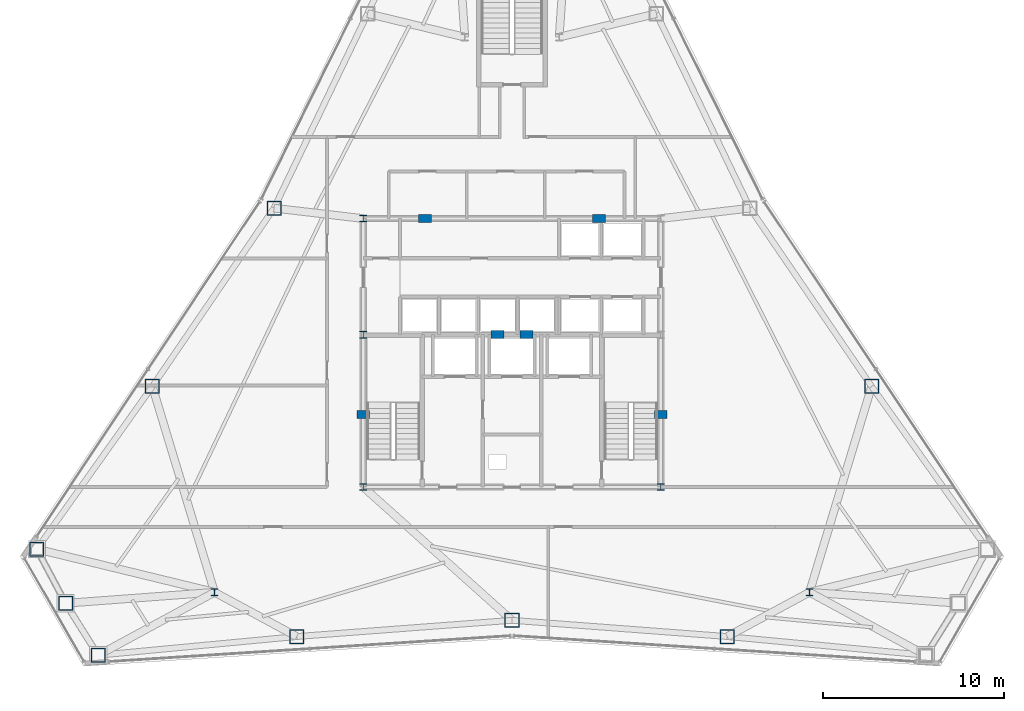
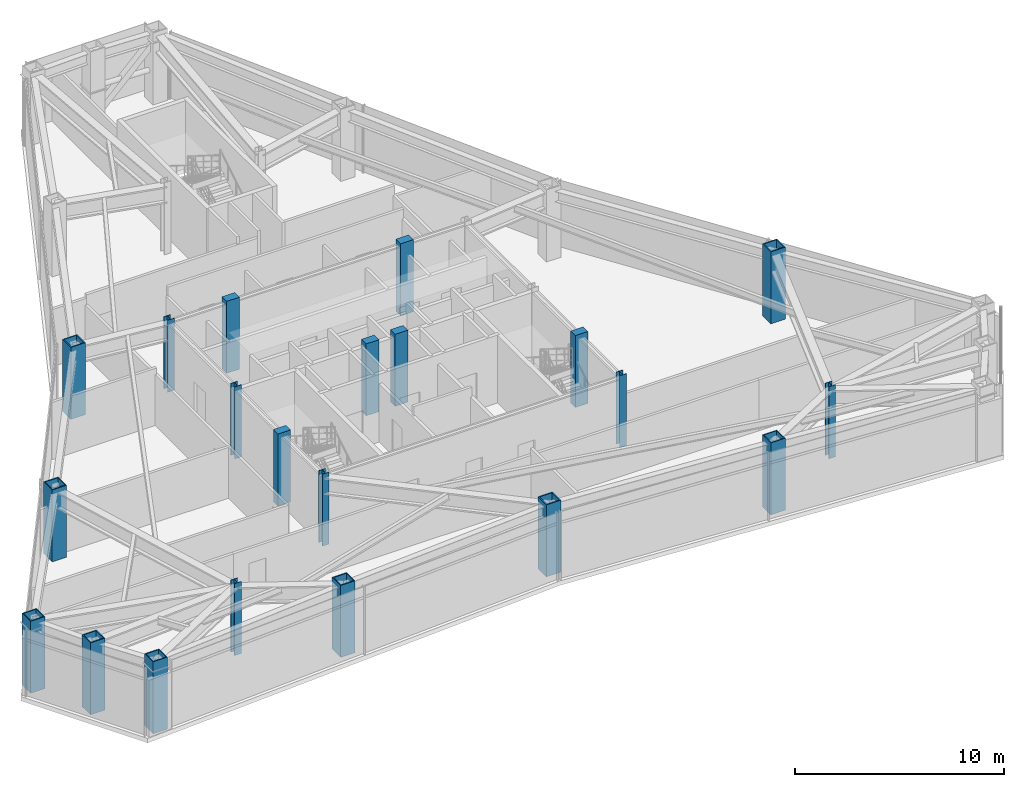
# One storey, part 1 of 13: 21 columns.
"""IFC4 building model written with IfcOpenShell, lengths in metres."""

import ifcopenshell
import ifcopenshell.guid

model = None  # the IFC model being written
_history = None  # IfcOwnerHistory: only IFC2X3 demands one
_inside = {}  # id of a spatial element -> (the spatial element, [elements in it])
_under = {}  # id of a project, library or spatial element -> (it, [spatial elements below it])
_declared = {}  # id of a project -> (the project, [libraries it declares])
_typed = {}  # id of a type object -> (the type object, [elements of that type])
_made_of = {}  # id of a material, layer set ... -> (it, [elements and type objects made of it])


def new_model(schema):
    """Start an empty IFC model of exactly this schema.

    Asked for "IFC4X3", IfcOpenShell would pick the latest addendum, in which some entities
    have other attributes; the version numbers below select the first issue.
    IFC2X3 requires an IfcOwnerHistory on every rooted entity: one is made here for all.
    """
    global model, _history
    if schema == "IFC4X3":
        model = ifcopenshell.file(schema_version=(4, 3, 0, 0))
    else:
        model = ifcopenshell.file(schema=schema)
    _inside.clear()
    _under.clear()
    _declared.clear()
    _typed.clear()
    _made_of.clear()
    _history = None
    if model.schema == "IFC2X3":
        org = make("IfcOrganization", Name="unknown")
        user = make(
            "IfcPersonAndOrganization",
            ThePerson=make("IfcPerson", FamilyName="unknown"),
            TheOrganization=org,
        )
        app = make(
            "IfcApplication",
            ApplicationDeveloper=org,
            Version="unknown",
            ApplicationFullName="unknown",
            ApplicationIdentifier="unknown",
        )
        _history = make(
            "IfcOwnerHistory",
            OwningUser=user,
            OwningApplication=app,
            ChangeAction="ADDED",
            CreationDate=0,
        )
    return model


def make(cls, **values):
    """One entity of the class cls with the attributes given. An attribute that is None is left unset."""
    return model.create_entity(
        cls, **{name: value for name, value in values.items() if value is not None}
    )


def rooted(cls, **values):
    """An entity with a GlobalId (a new one), such as an element, a storey or a relation."""
    return make(cls, GlobalId=ifcopenshell.guid.new(), OwnerHistory=_history, **values)


def si_unit(unit_type, name, prefix=None):
    """IfcSIUnit, for example si_unit("LENGTHUNIT", "METRE", prefix="MILLI")."""
    return make("IfcSIUnit", UnitType=unit_type, Prefix=prefix, Name=name)


def assignment(units):
    """IfcUnitAssignment: the units of a project."""
    return None if units is None else make("IfcUnitAssignment", Units=units)


def point(xyz):
    """IfcCartesianPoint."""
    return None if xyz is None else make("IfcCartesianPoint", Coordinates=xyz)


def direction(xyz):
    """IfcDirection."""
    return None if xyz is None else make("IfcDirection", DirectionRatios=xyz)


def frame(location, z_axis=None, x_axis=None):
    """IfcAxis2Placement3D, a coordinate frame: its origin and axes. An axis left out is left unset."""
    return make(
        "IfcAxis2Placement3D",
        Location=point(location),
        Axis=direction(z_axis),
        RefDirection=direction(x_axis),
    )


def frame_2d(location, x_axis=None):
    """IfcAxis2Placement2D, a coordinate frame in the plane: its origin and x axis."""
    return make(
        "IfcAxis2Placement2D", Location=point(location), RefDirection=direction(x_axis)
    )


def origin():
    """The frame at (0, 0, 0) with its axes left unset."""
    return frame((0.0, 0.0, 0.0))


def origin_2d():
    """The frame at (0, 0) in the plane with its x axis left unset."""
    return frame_2d((0.0, 0.0))


def place(relative_to, where):
    """IfcLocalPlacement: puts the frame where relative to a parent placement (None: the world)."""
    return make(
        "IfcLocalPlacement", PlacementRelTo=relative_to, RelativePlacement=where
    )


def context(
    kind, dimensions, precision=None, world=None, true_north=None, identifier=None
):
    """IfcGeometricRepresentationContext, for example the 3D "Model" context."""
    return make(
        "IfcGeometricRepresentationContext",
        ContextIdentifier=identifier,
        ContextType=kind,
        CoordinateSpaceDimension=dimensions,
        Precision=precision,
        WorldCoordinateSystem=world,
        TrueNorth=true_north,
    )


def subcontext(parent, identifier, kind, view, scale=None):
    """IfcGeometricRepresentationSubContext, for example "Body" below "Model"."""
    return make(
        "IfcGeometricRepresentationSubContext",
        ContextIdentifier=identifier,
        ContextType=kind,
        ParentContext=parent,
        TargetScale=scale,
        TargetView=view,
    )


def project(units=None, contexts=None):
    """IfcProject with its units and contexts."""
    return rooted(
        "IfcProject",
        Name="project",
        RepresentationContexts=contexts,
        UnitsInContext=assignment(units),
    )


def spatial(cls, under=None, at=None, **own):
    """A site, building, storey or space (cls), placed at a placement, below another one or the project."""
    s = rooted(cls, ObjectPlacement=at, **own)
    if under is not None:
        _under.setdefault(under.id(), (under, []))[1].append(s)
    return s


def profile(cls, at=None, kind="AREA", **sizes):
    """A parametric profile (cls). Its sizes go by their IFC names, for example OverallWidth=200.0."""
    return make(cls, ProfileType=kind, Position=at, **sizes)


def rectangle(**sizes):
    """IfcRectangleProfileDef."""
    return profile("IfcRectangleProfileDef", **sizes)


def hollow_rectangle(**sizes):
    """IfcRectangleHollowProfileDef."""
    return profile("IfcRectangleHollowProfileDef", **sizes)


def i_section(**sizes):
    """IfcIShapeProfileDef."""
    return profile("IfcIShapeProfileDef", **sizes)


def extrude(swept, where, along, depth):
    """IfcExtrudedAreaSolid: the profile swept, set in the frame where, extruded along a direction by depth."""
    return make(
        "IfcExtrudedAreaSolid",
        SweptArea=swept,
        Position=where,
        ExtrudedDirection=direction(along),
        Depth=depth,
    )


def shape(context_of_items, identifier, shape_type, items):
    """IfcShapeRepresentation: the items that make up one representation, for example the "Body"."""
    return make(
        "IfcShapeRepresentation",
        ContextOfItems=context_of_items,
        RepresentationIdentifier=identifier,
        RepresentationType=shape_type,
        Items=items,
    )


def material(Name=None, Category=None):
    """IfcMaterial."""
    return make("IfcMaterial", Name=Name, Category=Category)


def material_profile(
    of_material, cross_section, Name=None, Category=None, Priority=None
):
    """IfcMaterialProfile: a cross section and its material."""
    return make(
        "IfcMaterialProfile",
        Name=Name,
        Material=of_material,
        Profile=cross_section,
        Priority=Priority,
        Category=Category,
    )


def profile_set(profiles, Name=None, composite=None):
    """IfcMaterialProfileSet."""
    return make(
        "IfcMaterialProfileSet",
        Name=Name,
        MaterialProfiles=profiles,
        CompositeProfile=composite,
    )


def made_of(thing, what):
    """Note that an element or type object is made of a material, layer set ...; save() writes the relation."""
    if what is not None:
        _made_of.setdefault(what.id(), (what, []))[1].append(thing)
    return thing


def type_object(cls, material=None, **own):
    """A type object (cls), such as IfcWallType, which elements share."""
    return made_of(rooted(cls, **own), material)


def element(
    cls,
    number,
    at=None,
    inside=None,
    cuts=None,
    type_object=None,
    material=None,
    context=None,
    identifier="Body",
    shape_type=None,
    held_by="IfcProductDefinitionShape",
    body=None,
    shapes=None,
    **own,
):
    """One element of the class cls, such as IfcWall. Its Tag is "e" and its number.

    at: its placement. inside: the storey or other place that contains it. cuts: it is an
    opening in that element (IfcRelVoidsElement). A single representation is given by context,
    identifier, shape_type and body (its items); several are given by shapes. held_by: the class
    of the entity that holds the representations. save() writes the other relations.
    """
    e = rooted(cls, Tag="e%d" % number, ObjectPlacement=at, **own)
    if body is not None:
        shapes = [shape(context, identifier, shape_type, body)]
    if shapes is not None:
        e.Representation = make(held_by, Representations=shapes)
    if inside is not None:
        _inside.setdefault(inside.id(), (inside, []))[1].append(e)
    if cuts is not None:
        rooted(
            "IfcRelVoidsElement", RelatingBuildingElement=cuts, RelatedOpeningElement=e
        )
    if type_object is not None:
        _typed.setdefault(type_object.id(), (type_object, []))[1].append(e)
    return made_of(e, material)


def aggregate(whole, parts):
    """IfcRelAggregates: a whole, such as a stair, and the parts it consists of."""
    return rooted("IfcRelAggregates", RelatingObject=whole, RelatedObjects=parts)


def save(model, path):
    """Write the relations noted so far, then the file.

    IfcRelAggregates (storeys below a building ...), IfcRelContainedInSpatialStructure (elements
    in a storey), IfcRelDefinesByType, IfcRelAssociatesMaterial and IfcRelDeclares: one each for
    every whole, place, type object, material and project.
    """
    for whole, parts in _under.values():
        aggregate(whole, parts)
    for where, things in _inside.values():
        rooted(
            "IfcRelContainedInSpatialStructure",
            RelatedElements=things,
            RelatingStructure=where,
        )
    for kind, things in _typed.values():
        rooted("IfcRelDefinesByType", RelatedObjects=things, RelatingType=kind)
    for what, things in _made_of.values():
        rooted("IfcRelAssociatesMaterial", RelatedObjects=things, RelatingMaterial=what)
    for by, libraries in _declared.values():
        rooted("IfcRelDeclares", RelatingContext=by, RelatedDefinitions=libraries)
    model.write(path)


model = new_model("IFC4")

# Units and contexts
model_context = context("Model", 3, precision=1e-05, world=origin(), true_north=direction((0.0, 1.0)))
body_context = subcontext(model_context, "Body", "Model", "MODEL_VIEW")
ifc_project = project(units=[si_unit("LENGTHUNIT", "METRE"), si_unit("AREAUNIT", "SQUARE_METRE"), si_unit("VOLUMEUNIT", "CUBIC_METRE"), si_unit("PLANEANGLEUNIT", "RADIAN"), si_unit("MASSUNIT", "GRAM", prefix="KILO")], contexts=[model_context])

# Site, building, storey
site_placement = place(None, origin())
site = spatial("IfcSite", under=ifc_project, at=site_placement, CompositionType="ELEMENT")
building_placement = place(site_placement, origin())
building = spatial("IfcBuilding", under=site, at=building_placement, Name="Varakhsha Concourse Tower", CompositionType="ELEMENT")
storey_placement = place(building_placement, frame((0.0, 0.0, 200.699951171875)))
storey = spatial("IfcBuildingStorey", under=building, at=storey_placement, Name="L57", CompositionType="ELEMENT", Elevation=200.699951171875)

# Columns
ifc_material_1 = material(Name="Structural Steel ASTM A992 Grade 50", Category="steel")
ifc_material_profile_1 = material_profile(ifc_material_1, i_section(OverallWidth=0.3740234375, OverallDepth=0.3720703125, WebThickness=0.01611328125, FlangeThickness=0.02587890625, at=origin_2d()), Name="W14X132")
ifc_profile_set_1 = profile_set([ifc_material_profile_1], Name="Structural Steel ASTM A992 Grade 50")
column_type_1 = type_object("IfcColumnType", Name="CL-CORE-W14X132", PredefinedType="COLUMN", material=ifc_profile_set_1)
for number, where, z_axis, x_axis, name in (
    (1, (31.800048828125, 16.39990234375, 0.0), (0.0, 0.0, 1.0), (1.0, 0.0, 0.0), "L57 Core Column CC-SW"),
    (2, (48.199951171875, 16.39990234375, 0.0), (0.0, 0.0, 1.0), (1.0, 0.0, 0.0), "L57 Core Column CC-SE"),
    (3, (31.800048828125, 24.800048828125, 0.0), (0.0, 0.0, 1.0), (1.0, 0.0, 0.0), "L57 Core Column CC-MW"),
    (4, (31.800048828125, 31.199951171875, 0.0), (0.0, 0.0, 1.0), (1.0, 0.0, 0.0), "L57 Core Column CC-NW"),
    (5, (23.60009765625, 10.60009765625, 0.0), (0.0, 0.0, 1.0), (1.0, 0.0, 0.0), "L57 Core Column SS-W"),
    (6, (56.39990234375, 10.60009765625, 0.0), (0.0, 0.0, 1.0), (1.0, 0.0, 0.0), "L57 Core Column SS-E"),
):
    element("IfcColumn", number, at=place(storey_placement, frame(where, z_axis=z_axis, x_axis=x_axis)), inside=storey, type_object=column_type_1, Name=name, PredefinedType="COLUMN", context=body_context, shape_type="SweptSolid", body=[
        extrude(i_section(OverallWidth=0.3740234375, OverallDepth=0.3720703125, WebThickness=0.01611328125, FlangeThickness=0.02587890625, at=origin_2d()), origin(), (0.0, 0.0, 1.0), 4.199951171875),
    ])
ifc_material_2 = material(Name="Concrete fc 65 MPa", Category="concrete")
ifc_material_profile_2 = material_profile(ifc_material_2, rectangle(XDim=0.699951171875, YDim=0.449951171875, at=origin_2d()), Name="RC 700x450")
ifc_profile_set_2 = profile_set([ifc_material_profile_2], Name="Concrete fc 65 MPa")
column_type_2 = type_object("IfcColumnType", Name="CL-PIL-700X450", PredefinedType="PILASTER", material=ifc_profile_set_2)
for number, where, z_axis, x_axis, name in (
    (7, (31.800048828125, 20.39990234375, 0.0), (0.0, 0.0, 1.0), (1.0, 0.0, 0.0), "L57 Core Boundary Pilaster PIL-W1"),
    (8, (48.199951171875, 20.39990234375, 0.0), (0.0, 0.0, 1.0), (1.0, 0.0, 0.0), "L57 Core Boundary Pilaster PIL-E1"),
    (9, (35.199951171875, 31.199951171875, 0.0), (0.0, 0.0, 1.0), (1.0, 0.0, 0.0), "L57 Core Boundary Pilaster PIL-N1"),
    (10, (44.800048828125, 31.199951171875, 0.0), (0.0, 0.0, 1.0), (1.0, 0.0, 0.0), "L57 Core Boundary Pilaster PIL-N2"),
    (11, (39.199951171875, 24.800048828125, 0.0), (0.0, 0.0, 1.0), (1.0, 0.0, 0.0), "L57 Core Boundary Pilaster PIL-M1"),
    (12, (40.800048828125, 24.800048828125, 0.0), (0.0, 0.0, 1.0), (1.0, 0.0, 0.0), "L57 Core Boundary Pilaster PIL-M2"),
):
    element("IfcColumn", number, at=place(storey_placement, frame(where, z_axis=z_axis, x_axis=x_axis)), inside=storey, type_object=column_type_2, Name=name, PredefinedType="PILASTER", context=body_context, shape_type="SweptSolid", body=[
        extrude(rectangle(XDim=0.699951171875, YDim=0.449951171875, at=origin_2d()), origin(), (0.0, 0.0, 1.0), 4.199951171875),
    ])
ifc_material_3 = material(Name="Structural Steel ASTM A572 Grade 50", Category="steel")
ifc_material_profile_3 = material_profile(ifc_material_3, hollow_rectangle(XDim=0.800048828125, YDim=0.800048828125, WallThickness=0.054931640625, at=origin_2d()), Name="BOX 800x800x55")
ifc_profile_set_3 = profile_set([ifc_material_profile_3], Name="Structural Steel ASTM A572 Grade 50")
column_type_3 = type_object("IfcColumnType", Name="CL-TUBE-800", PredefinedType="COLUMN", material=ifc_profile_set_3)
for number, where, z_axis, x_axis, name in (
    (13, (26.8818359375, 31.773681640625, 0.0), (0.0, 0.0, 1.0), (1.0, 0.0, 0.0), "L57 Framed-Tube Column TC05"),
    (14, (20.173583984375, 21.943115234375, 0.0), (0.0, 0.0, 1.0), (1.0, 0.0, 0.0), "L57 Framed-Tube Column TC06"),
    (15, (13.8076171875, 12.980712890625, 0.0), (0.0, 0.0, 1.0), (1.0, 0.0, 0.0), "L57 Framed-Tube Column TC07"),
    (16, (15.389404296875, 9.9912109375, 0.0), (0.0, 0.0, 1.0), (1.0, 0.0, 0.0), "L57 Framed-Tube Column TC08"),
    (17, (17.1875, 7.12646484375, 0.0), (0.0, 0.0, 1.0), (1.0, 0.0, 0.0), "L57 Framed-Tube Column TC09"),
    (18, (28.132080078125, 8.158447265625, 0.0), (0.0, 0.0, 1.0), (1.0, 0.0, 0.0), "L57 Framed-Tube Column TC10"),
    (19, (40.0, 9.052490234375, 0.0), (0.0, 0.0, 1.0), (1.0, 0.0, 0.0), "L57 Framed-Tube Column TC11"),
    (20, (51.867919921875, 8.158447265625, 0.0), (0.0, 0.0, 1.0), (1.0, 0.0, 0.0), "L57 Framed-Tube Column TC12"),
    (21, (59.826416015625, 21.943115234375, 0.0), (0.0, 0.0, 1.0), (1.0, 0.0, 0.0), "L57 Framed-Tube Column TC16"),
):
    element("IfcColumn", number, at=place(storey_placement, frame(where, z_axis=z_axis, x_axis=x_axis)), inside=storey, type_object=column_type_3, Name=name, PredefinedType="COLUMN", context=body_context, shape_type="SweptSolid", body=[
        extrude(hollow_rectangle(XDim=0.800048828125, YDim=0.800048828125, WallThickness=0.054931640625, at=origin_2d()), origin(), (0.0, 0.0, 1.0), 4.199951171875),
    ])

save(model, "model.ifc")
